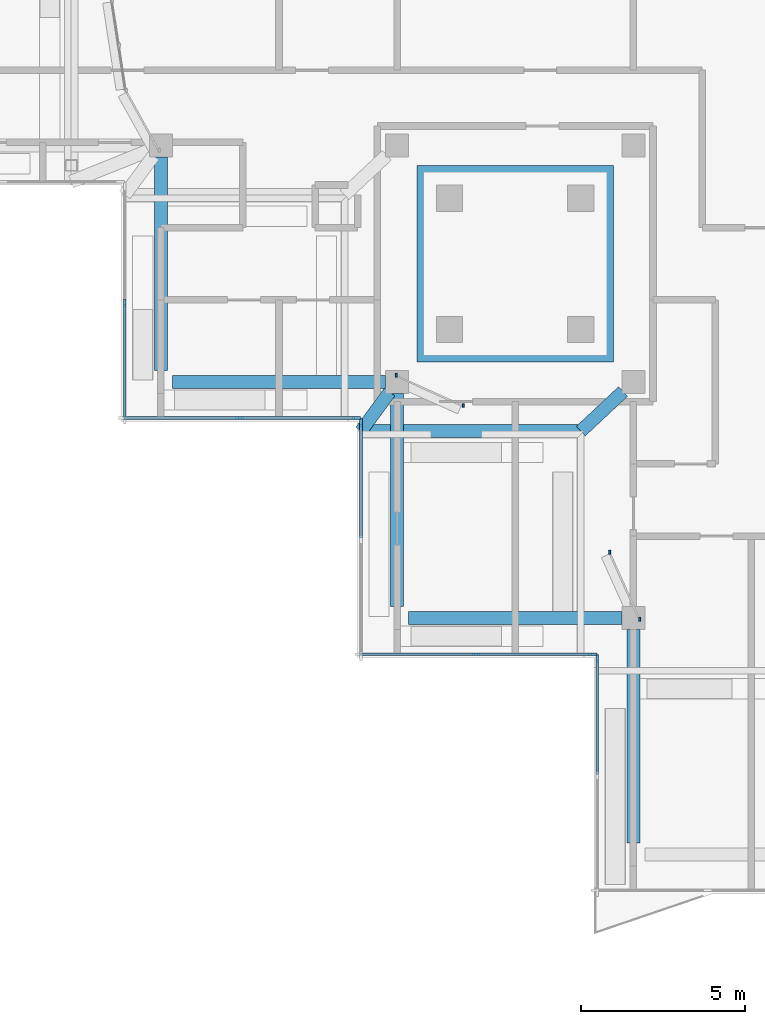
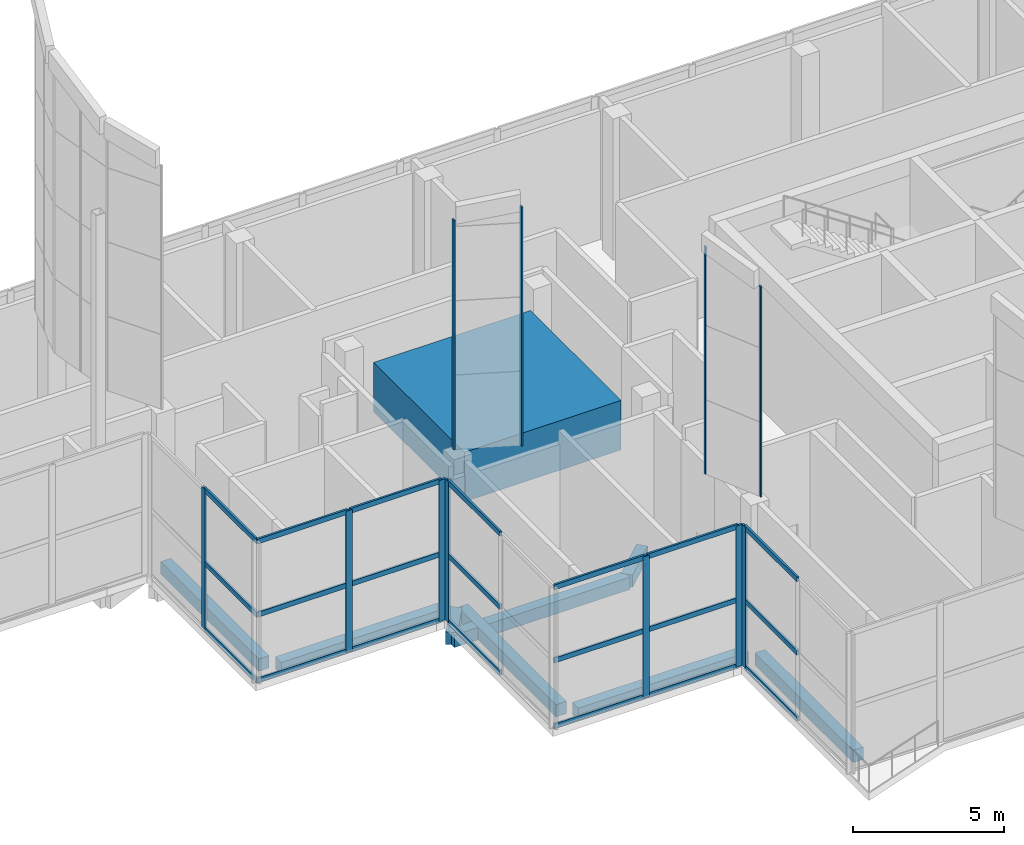
# One storey, part 3 of 19: 33 members, 8 beams, 7 elements without a shape of their own.
"""IFC4 building model written with IfcOpenShell, lengths in metres."""

import ifcopenshell
import ifcopenshell.guid

model = None  # the IFC model being written
_history = None  # IfcOwnerHistory: only IFC2X3 demands one
_inside = {}  # id of a spatial element -> (the spatial element, [elements in it])
_under = {}  # id of a project, library or spatial element -> (it, [spatial elements below it])
_declared = {}  # id of a project -> (the project, [libraries it declares])
_typed = {}  # id of a type object -> (the type object, [elements of that type])
_made_of = {}  # id of a material, layer set ... -> (it, [elements and type objects made of it])


def new_model(schema):
    """Start an empty IFC model of exactly this schema.

    Asked for "IFC4X3", IfcOpenShell would pick the latest addendum, in which some entities
    have other attributes; the version numbers below select the first issue.
    IFC2X3 requires an IfcOwnerHistory on every rooted entity: one is made here for all.
    """
    global model, _history
    if schema == "IFC4X3":
        model = ifcopenshell.file(schema_version=(4, 3, 0, 0))
    else:
        model = ifcopenshell.file(schema=schema)
    _inside.clear()
    _under.clear()
    _declared.clear()
    _typed.clear()
    _made_of.clear()
    _history = None
    if model.schema == "IFC2X3":
        org = make("IfcOrganization", Name="unknown")
        user = make(
            "IfcPersonAndOrganization",
            ThePerson=make("IfcPerson", FamilyName="unknown"),
            TheOrganization=org,
        )
        app = make(
            "IfcApplication",
            ApplicationDeveloper=org,
            Version="unknown",
            ApplicationFullName="unknown",
            ApplicationIdentifier="unknown",
        )
        _history = make(
            "IfcOwnerHistory",
            OwningUser=user,
            OwningApplication=app,
            ChangeAction="ADDED",
            CreationDate=0,
        )
    return model


def make(cls, **values):
    """One entity of the class cls with the attributes given. An attribute that is None is left unset."""
    return model.create_entity(
        cls, **{name: value for name, value in values.items() if value is not None}
    )


def rooted(cls, **values):
    """An entity with a GlobalId (a new one), such as an element, a storey or a relation."""
    return make(cls, GlobalId=ifcopenshell.guid.new(), OwnerHistory=_history, **values)


def si_unit(unit_type, name, prefix=None):
    """IfcSIUnit, for example si_unit("LENGTHUNIT", "METRE", prefix="MILLI")."""
    return make("IfcSIUnit", UnitType=unit_type, Prefix=prefix, Name=name)


def assignment(units):
    """IfcUnitAssignment: the units of a project."""
    return None if units is None else make("IfcUnitAssignment", Units=units)


def point(xyz):
    """IfcCartesianPoint."""
    return None if xyz is None else make("IfcCartesianPoint", Coordinates=xyz)


def direction(xyz):
    """IfcDirection."""
    return None if xyz is None else make("IfcDirection", DirectionRatios=xyz)


def frame(location, z_axis=None, x_axis=None):
    """IfcAxis2Placement3D, a coordinate frame: its origin and axes. An axis left out is left unset."""
    return make(
        "IfcAxis2Placement3D",
        Location=point(location),
        Axis=direction(z_axis),
        RefDirection=direction(x_axis),
    )


def frame_2d(location, x_axis=None):
    """IfcAxis2Placement2D, a coordinate frame in the plane: its origin and x axis."""
    return make(
        "IfcAxis2Placement2D", Location=point(location), RefDirection=direction(x_axis)
    )


def origin():
    """The frame at (0, 0, 0) with its axes left unset."""
    return frame((0.0, 0.0, 0.0))


def origin_2d():
    """The frame at (0, 0) in the plane with its x axis left unset."""
    return frame_2d((0.0, 0.0))


def place(relative_to, where):
    """IfcLocalPlacement: puts the frame where relative to a parent placement (None: the world)."""
    return make(
        "IfcLocalPlacement", PlacementRelTo=relative_to, RelativePlacement=where
    )


def context(
    kind, dimensions, precision=None, world=None, true_north=None, identifier=None
):
    """IfcGeometricRepresentationContext, for example the 3D "Model" context."""
    return make(
        "IfcGeometricRepresentationContext",
        ContextIdentifier=identifier,
        ContextType=kind,
        CoordinateSpaceDimension=dimensions,
        Precision=precision,
        WorldCoordinateSystem=world,
        TrueNorth=true_north,
    )


def subcontext(parent, identifier, kind, view, scale=None):
    """IfcGeometricRepresentationSubContext, for example "Body" below "Model"."""
    return make(
        "IfcGeometricRepresentationSubContext",
        ContextIdentifier=identifier,
        ContextType=kind,
        ParentContext=parent,
        TargetScale=scale,
        TargetView=view,
    )


def project(units=None, contexts=None):
    """IfcProject with its units and contexts."""
    return rooted(
        "IfcProject",
        Name="project",
        RepresentationContexts=contexts,
        UnitsInContext=assignment(units),
    )


def spatial(cls, under=None, at=None, **own):
    """A site, building, storey or space (cls), placed at a placement, below another one or the project."""
    s = rooted(cls, ObjectPlacement=at, **own)
    if under is not None:
        _under.setdefault(under.id(), (under, []))[1].append(s)
    return s


def profile(cls, at=None, kind="AREA", **sizes):
    """A parametric profile (cls). Its sizes go by their IFC names, for example OverallWidth=200.0."""
    return make(cls, ProfileType=kind, Position=at, **sizes)


def rectangle(**sizes):
    """IfcRectangleProfileDef."""
    return profile("IfcRectangleProfileDef", **sizes)


def extrude(swept, where, along, depth):
    """IfcExtrudedAreaSolid: the profile swept, set in the frame where, extruded along a direction by depth."""
    return make(
        "IfcExtrudedAreaSolid",
        SweptArea=swept,
        Position=where,
        ExtrudedDirection=direction(along),
        Depth=depth,
    )


def shape(context_of_items, identifier, shape_type, items):
    """IfcShapeRepresentation: the items that make up one representation, for example the "Body"."""
    return make(
        "IfcShapeRepresentation",
        ContextOfItems=context_of_items,
        RepresentationIdentifier=identifier,
        RepresentationType=shape_type,
        Items=items,
    )


def material(Name=None, Category=None):
    """IfcMaterial."""
    return make("IfcMaterial", Name=Name, Category=Category)


def material_profile(
    of_material, cross_section, Name=None, Category=None, Priority=None
):
    """IfcMaterialProfile: a cross section and its material."""
    return make(
        "IfcMaterialProfile",
        Name=Name,
        Material=of_material,
        Profile=cross_section,
        Priority=Priority,
        Category=Category,
    )


def profile_set(profiles, Name=None, composite=None):
    """IfcMaterialProfileSet."""
    return make(
        "IfcMaterialProfileSet",
        Name=Name,
        MaterialProfiles=profiles,
        CompositeProfile=composite,
    )


def made_of(thing, what):
    """Note that an element or type object is made of a material, layer set ...; save() writes the relation."""
    if what is not None:
        _made_of.setdefault(what.id(), (what, []))[1].append(thing)
    return thing


def type_object(cls, material=None, **own):
    """A type object (cls), such as IfcWallType, which elements share."""
    return made_of(rooted(cls, **own), material)


def element(
    cls,
    number,
    at=None,
    inside=None,
    cuts=None,
    type_object=None,
    material=None,
    context=None,
    identifier="Body",
    shape_type=None,
    held_by="IfcProductDefinitionShape",
    body=None,
    shapes=None,
    **own,
):
    """One element of the class cls, such as IfcWall. Its Tag is "e" and its number.

    at: its placement. inside: the storey or other place that contains it. cuts: it is an
    opening in that element (IfcRelVoidsElement). A single representation is given by context,
    identifier, shape_type and body (its items); several are given by shapes. held_by: the class
    of the entity that holds the representations. save() writes the other relations.
    """
    e = rooted(cls, Tag="e%d" % number, ObjectPlacement=at, **own)
    if body is not None:
        shapes = [shape(context, identifier, shape_type, body)]
    if shapes is not None:
        e.Representation = make(held_by, Representations=shapes)
    if inside is not None:
        _inside.setdefault(inside.id(), (inside, []))[1].append(e)
    if cuts is not None:
        rooted(
            "IfcRelVoidsElement", RelatingBuildingElement=cuts, RelatedOpeningElement=e
        )
    if type_object is not None:
        _typed.setdefault(type_object.id(), (type_object, []))[1].append(e)
    return made_of(e, material)


def aggregate(whole, parts):
    """IfcRelAggregates: a whole, such as a stair, and the parts it consists of."""
    return rooted("IfcRelAggregates", RelatingObject=whole, RelatedObjects=parts)


def save(model, path):
    """Write the relations noted so far, then the file.

    IfcRelAggregates (storeys below a building ...), IfcRelContainedInSpatialStructure (elements
    in a storey), IfcRelDefinesByType, IfcRelAssociatesMaterial and IfcRelDeclares: one each for
    every whole, place, type object, material and project.
    """
    for whole, parts in _under.values():
        aggregate(whole, parts)
    for where, things in _inside.values():
        rooted(
            "IfcRelContainedInSpatialStructure",
            RelatedElements=things,
            RelatingStructure=where,
        )
    for kind, things in _typed.values():
        rooted("IfcRelDefinesByType", RelatedObjects=things, RelatingType=kind)
    for what, things in _made_of.values():
        rooted("IfcRelAssociatesMaterial", RelatedObjects=things, RelatingMaterial=what)
    for by, libraries in _declared.values():
        rooted("IfcRelDeclares", RelatingContext=by, RelatedDefinitions=libraries)
    model.write(path)


model = new_model("IFC4")

# Units and contexts
model_context = context("Model", 3, precision=1e-05, world=origin(), true_north=direction((0.0, 1.0)))
body_context = subcontext(model_context, "Body", "Model", "MODEL_VIEW")
ifc_project = project(units=[si_unit("LENGTHUNIT", "METRE"), si_unit("AREAUNIT", "SQUARE_METRE"), si_unit("VOLUMEUNIT", "CUBIC_METRE"), si_unit("PLANEANGLEUNIT", "RADIAN"), si_unit("MASSUNIT", "GRAM", prefix="KILO")], contexts=[model_context])

# Site, building, storey
site_placement = place(None, origin())
site = spatial("IfcSite", under=ifc_project, at=site_placement, CompositionType="ELEMENT")
building_placement = place(site_placement, origin())
building = spatial("IfcBuilding", under=site, at=building_placement, Name="Windrow Commons", CompositionType="ELEMENT")
storey_placement = place(building_placement, frame((0.0, 0.0, 284.6)))
storey = spatial("IfcBuildingStorey", under=building, at=storey_placement, Name="L78", CompositionType="ELEMENT", Elevation=284.6)

# Curtain wall, member
ifc_material_1 = material(Name="Clear laminated glass in Aluminium 6063-T6 anodised frame", Category="aluminium")
curtain_wall_type_1 = type_object("IfcCurtainWallType", Name="Curtain wall CW3 damper floor", PredefinedType="USERDEFINED", material=ifc_material_1)
placement = place(storey_placement, origin())
curtain_wall_1 = element("IfcCurtainWall", 1, at=placement, inside=storey, type_object=curtain_wall_type_1, Name="Curtain wall CW3 L78 8", ObjectType="STRUCTURAL SILICONE", PredefinedType="USERDEFINED")
ifc_material_2 = material(Name="Aluminium 6063-T6", Category="aluminium")
ifc_material_profile_1 = material_profile(ifc_material_2, rectangle(XDim=0.08, YDim=0.25, at=origin_2d()))
ifc_profile_set_1 = profile_set([ifc_material_profile_1], Name="Aluminium 6063-T6")
member_type_1 = type_object("IfcMemberType", Name="CW3 mullion 80x250", PredefinedType="MULLION", material=ifc_profile_set_1)
member_1_placement = place(storey_placement, frame((34.9, 60.0, 0.0), z_axis=(0.0, 0.0, 1.0), x_axis=(1.0, 0.0, 0.0)))
member_1 = element("IfcMember", 2, at=member_1_placement, type_object=member_type_1, Name="CW3 mullion 2", PredefinedType="MULLION", context=body_context, shape_type="SweptSolid", body=[
    extrude(rectangle(XDim=0.08, YDim=0.25, at=origin_2d()), origin(), (0.0, 0.0, 1.0), 5.7),
])

# Curtain wall, members
curtain_wall_2 = element("IfcCurtainWall", 3, at=placement, inside=storey, type_object=curtain_wall_type_1, Name="Curtain wall CW3 L78 9", ObjectType="STRUCTURAL SILICONE", PredefinedType="USERDEFINED")
member_2_placement = place(storey_placement, frame((38.4, 56.5, 0.0), z_axis=(0.0, 0.0, 1.0), x_axis=(0.0, 1.0, 0.0)))
member_2 = element("IfcMember", 4, at=member_2_placement, type_object=member_type_1, Name="CW3 mullion 2", PredefinedType="MULLION", context=body_context, shape_type="SweptSolid", body=[
    extrude(rectangle(XDim=0.08, YDim=0.25, at=origin_2d()), origin(), (0.0, 0.0, 1.0), 5.7),
])
member_3_placement = place(storey_placement, frame((41.96, 56.5, 0.0), z_axis=(0.0, 0.0, 1.0), x_axis=(0.0, 1.0, 0.0)))
member_3 = element("IfcMember", 5, at=member_3_placement, type_object=member_type_1, Name="CW3 mullion 3", PredefinedType="MULLION", context=body_context, shape_type="SweptSolid", body=[
    extrude(rectangle(XDim=0.08, YDim=0.25, at=origin_2d()), origin(), (0.0, 0.0, 1.0), 5.7),
])

# Curtain wall, member
curtain_wall_3 = element("IfcCurtainWall", 6, at=placement, inside=storey, type_object=curtain_wall_type_1, Name="Curtain wall CW3 L78 10", ObjectType="STRUCTURAL SILICONE", PredefinedType="USERDEFINED")
member_4_placement = place(storey_placement, frame((42.1, 56.36, 0.0), z_axis=(0.0, 0.0, 1.0), x_axis=(1.0, 0.0, 0.0)))
member_4 = element("IfcMember", 7, at=member_4_placement, type_object=member_type_1, Name="CW3 mullion 1", PredefinedType="MULLION", context=body_context, shape_type="SweptSolid", body=[
    extrude(rectangle(XDim=0.08, YDim=0.25, at=origin_2d()), origin(), (0.0, 0.0, 1.0), 5.7),
])

# Curtain wall, members
curtain_wall_4 = element("IfcCurtainWall", 8, at=placement, inside=storey, type_object=curtain_wall_type_1, Name="Curtain wall CW3 L78 11", ObjectType="STRUCTURAL SILICONE", PredefinedType="USERDEFINED")
member_5_placement = place(storey_placement, frame((45.6, 49.3, 0.0), z_axis=(0.0, 0.0, 1.0), x_axis=(0.0, 1.0, 0.0)))
member_5 = element("IfcMember", 9, at=member_5_placement, type_object=member_type_1, Name="CW3 mullion 2", PredefinedType="MULLION", context=body_context, shape_type="SweptSolid", body=[
    extrude(rectangle(XDim=0.08, YDim=0.25, at=origin_2d()), origin(), (0.0, 0.0, 1.0), 5.7),
])
member_6_placement = place(storey_placement, frame((49.16, 49.3, 0.0), z_axis=(0.0, 0.0, 1.0), x_axis=(0.0, 1.0, 0.0)))
member_6 = element("IfcMember", 10, at=member_6_placement, type_object=member_type_1, Name="CW3 mullion 3", PredefinedType="MULLION", context=body_context, shape_type="SweptSolid", body=[
    extrude(rectangle(XDim=0.08, YDim=0.25, at=origin_2d()), origin(), (0.0, 0.0, 1.0), 5.7),
])

# Curtain wall, member
curtain_wall_5 = element("IfcCurtainWall", 11, at=placement, inside=storey, type_object=curtain_wall_type_1, Name="Curtain wall CW3 L78 12", ObjectType="STRUCTURAL SILICONE", PredefinedType="USERDEFINED")
member_7_placement = place(storey_placement, frame((49.3, 49.16, 0.0), z_axis=(0.0, 0.0, 1.0), x_axis=(1.0, 0.0, 0.0)))
member_7 = element("IfcMember", 12, at=member_7_placement, type_object=member_type_1, Name="CW3 mullion 1", PredefinedType="MULLION", context=body_context, shape_type="SweptSolid", body=[
    extrude(rectangle(XDim=0.08, YDim=0.25, at=origin_2d()), origin(), (0.0, 0.0, 1.0), 5.7),
])

# Member
ifc_material_3 = material(Name="Aluminium 6063-T6", Category="aluminium")
ifc_material_profile_2 = material_profile(ifc_material_3, rectangle(XDim=0.08, YDim=0.2, at=origin_2d()))
ifc_profile_set_2 = profile_set([ifc_material_profile_2], Name="Aluminium 6063-T6")
member_type_2 = type_object("IfcMemberType", Name="CW3 transom 80x200", PredefinedType="USERDEFINED", material=ifc_profile_set_2)
member_8_placement = place(storey_placement, frame((34.9, 59.96, 0.04), z_axis=(0.0, -1.0, 0.0), x_axis=(1.0, 0.0, 0.0)))
member_8 = element("IfcMember", 13, at=member_8_placement, type_object=member_type_2, Name="CW3 transom 2.1", ObjectType="TRANSOM", PredefinedType="USERDEFINED", context=body_context, shape_type="SweptSolid", body=[
    extrude(rectangle(XDim=0.08, YDim=0.2, at=origin_2d()), origin(), (0.0, 0.0, 1.0), 3.48),
])

member_9_placement = place(storey_placement, frame((34.9, 59.96, 2.7), z_axis=(0.0, -1.0, 0.0), x_axis=(1.0, 0.0, 0.0)))
member_9 = element("IfcMember", 14, at=member_9_placement, type_object=member_type_2, Name="CW3 transom 2.2", ObjectType="TRANSOM", PredefinedType="USERDEFINED", context=body_context, shape_type="SweptSolid", body=[
    extrude(rectangle(XDim=0.08, YDim=0.2, at=origin_2d()), origin(), (0.0, 0.0, 1.0), 3.48),
])

member_10_placement = place(storey_placement, frame((34.9, 59.96, 5.66), z_axis=(0.0, -1.0, 0.0), x_axis=(1.0, 0.0, 0.0)))
member_10 = element("IfcMember", 15, at=member_10_placement, type_object=member_type_2, Name="CW3 transom 2.3", ObjectType="TRANSOM", PredefinedType="USERDEFINED", context=body_context, shape_type="SweptSolid", body=[
    extrude(rectangle(XDim=0.08, YDim=0.2, at=origin_2d()), origin(), (0.0, 0.0, 1.0), 3.48),
])

aggregate(curtain_wall_1, [member_1, member_8, member_9, member_10])

member_11_placement = place(storey_placement, frame((34.88, 56.5, 0.04), z_axis=(1.0, 0.0, 0.0), x_axis=(0.0, 1.0, 0.0)))
member_11 = element("IfcMember", 16, at=member_11_placement, type_object=member_type_2, Name="CW3 transom 1.1", ObjectType="TRANSOM", PredefinedType="USERDEFINED", context=body_context, shape_type="SweptSolid", body=[
    extrude(rectangle(XDim=0.08, YDim=0.2, at=origin_2d()), origin(), (0.0, 0.0, 1.0), 3.48),
])

member_12_placement = place(storey_placement, frame((34.88, 56.5, 2.7), z_axis=(1.0, 0.0, 0.0), x_axis=(0.0, 1.0, 0.0)))
member_12 = element("IfcMember", 17, at=member_12_placement, type_object=member_type_2, Name="CW3 transom 1.2", ObjectType="TRANSOM", PredefinedType="USERDEFINED", context=body_context, shape_type="SweptSolid", body=[
    extrude(rectangle(XDim=0.08, YDim=0.2, at=origin_2d()), origin(), (0.0, 0.0, 1.0), 3.48),
])

member_13_placement = place(storey_placement, frame((34.88, 56.5, 5.66), z_axis=(1.0, 0.0, 0.0), x_axis=(0.0, 1.0, 0.0)))
member_13 = element("IfcMember", 18, at=member_13_placement, type_object=member_type_2, Name="CW3 transom 1.3", ObjectType="TRANSOM", PredefinedType="USERDEFINED", context=body_context, shape_type="SweptSolid", body=[
    extrude(rectangle(XDim=0.08, YDim=0.2, at=origin_2d()), origin(), (0.0, 0.0, 1.0), 3.48),
])

member_14_placement = place(storey_placement, frame((38.44, 56.5, 0.04), z_axis=(1.0, 0.0, 0.0), x_axis=(0.0, 1.0, 0.0)))
member_14 = element("IfcMember", 19, at=member_14_placement, type_object=member_type_2, Name="CW3 transom 2.1", ObjectType="TRANSOM", PredefinedType="USERDEFINED", context=body_context, shape_type="SweptSolid", body=[
    extrude(rectangle(XDim=0.08, YDim=0.2, at=origin_2d()), origin(), (0.0, 0.0, 1.0), 3.48),
])

member_15_placement = place(storey_placement, frame((38.44, 56.5, 2.7), z_axis=(1.0, 0.0, 0.0), x_axis=(0.0, 1.0, 0.0)))
member_15 = element("IfcMember", 20, at=member_15_placement, type_object=member_type_2, Name="CW3 transom 2.2", ObjectType="TRANSOM", PredefinedType="USERDEFINED", context=body_context, shape_type="SweptSolid", body=[
    extrude(rectangle(XDim=0.08, YDim=0.2, at=origin_2d()), origin(), (0.0, 0.0, 1.0), 3.48),
])

member_16_placement = place(storey_placement, frame((38.44, 56.5, 5.66), z_axis=(1.0, 0.0, 0.0), x_axis=(0.0, 1.0, 0.0)))
member_16 = element("IfcMember", 21, at=member_16_placement, type_object=member_type_2, Name="CW3 transom 2.3", ObjectType="TRANSOM", PredefinedType="USERDEFINED", context=body_context, shape_type="SweptSolid", body=[
    extrude(rectangle(XDim=0.08, YDim=0.2, at=origin_2d()), origin(), (0.0, 0.0, 1.0), 3.48),
])

aggregate(curtain_wall_2, [member_2, member_3, member_11, member_12, member_13, member_14, member_15, member_16])

member_17_placement = place(storey_placement, frame((42.1, 56.32, 0.04), z_axis=(0.0, -1.0, 0.0), x_axis=(1.0, 0.0, 0.0)))
member_17 = element("IfcMember", 22, at=member_17_placement, type_object=member_type_2, Name="CW3 transom 1.1", ObjectType="TRANSOM", PredefinedType="USERDEFINED", context=body_context, shape_type="SweptSolid", body=[
    extrude(rectangle(XDim=0.08, YDim=0.2, at=origin_2d()), origin(), (0.0, 0.0, 1.0), 3.48),
])

member_18_placement = place(storey_placement, frame((42.1, 56.32, 2.7), z_axis=(0.0, -1.0, 0.0), x_axis=(1.0, 0.0, 0.0)))
member_18 = element("IfcMember", 23, at=member_18_placement, type_object=member_type_2, Name="CW3 transom 1.2", ObjectType="TRANSOM", PredefinedType="USERDEFINED", context=body_context, shape_type="SweptSolid", body=[
    extrude(rectangle(XDim=0.08, YDim=0.2, at=origin_2d()), origin(), (0.0, 0.0, 1.0), 3.48),
])

member_19_placement = place(storey_placement, frame((42.1, 56.32, 5.66), z_axis=(0.0, -1.0, 0.0), x_axis=(1.0, 0.0, 0.0)))
member_19 = element("IfcMember", 24, at=member_19_placement, type_object=member_type_2, Name="CW3 transom 1.3", ObjectType="TRANSOM", PredefinedType="USERDEFINED", context=body_context, shape_type="SweptSolid", body=[
    extrude(rectangle(XDim=0.08, YDim=0.2, at=origin_2d()), origin(), (0.0, 0.0, 1.0), 3.48),
])

aggregate(curtain_wall_3, [member_4, member_17, member_18, member_19])

member_20_placement = place(storey_placement, frame((42.08, 49.3, 0.04), z_axis=(1.0, 0.0, 0.0), x_axis=(0.0, 1.0, 0.0)))
member_20 = element("IfcMember", 25, at=member_20_placement, type_object=member_type_2, Name="CW3 transom 1.1", ObjectType="TRANSOM", PredefinedType="USERDEFINED", context=body_context, shape_type="SweptSolid", body=[
    extrude(rectangle(XDim=0.08, YDim=0.2, at=origin_2d()), origin(), (0.0, 0.0, 1.0), 3.48),
])

member_21_placement = place(storey_placement, frame((42.08, 49.3, 2.7), z_axis=(1.0, 0.0, 0.0), x_axis=(0.0, 1.0, 0.0)))
member_21 = element("IfcMember", 26, at=member_21_placement, type_object=member_type_2, Name="CW3 transom 1.2", ObjectType="TRANSOM", PredefinedType="USERDEFINED", context=body_context, shape_type="SweptSolid", body=[
    extrude(rectangle(XDim=0.08, YDim=0.2, at=origin_2d()), origin(), (0.0, 0.0, 1.0), 3.48),
])

member_22_placement = place(storey_placement, frame((42.08, 49.3, 5.66), z_axis=(1.0, 0.0, 0.0), x_axis=(0.0, 1.0, 0.0)))
member_22 = element("IfcMember", 27, at=member_22_placement, type_object=member_type_2, Name="CW3 transom 1.3", ObjectType="TRANSOM", PredefinedType="USERDEFINED", context=body_context, shape_type="SweptSolid", body=[
    extrude(rectangle(XDim=0.08, YDim=0.2, at=origin_2d()), origin(), (0.0, 0.0, 1.0), 3.48),
])

member_23_placement = place(storey_placement, frame((45.64, 49.3, 0.04), z_axis=(1.0, 0.0, 0.0), x_axis=(0.0, 1.0, 0.0)))
member_23 = element("IfcMember", 28, at=member_23_placement, type_object=member_type_2, Name="CW3 transom 2.1", ObjectType="TRANSOM", PredefinedType="USERDEFINED", context=body_context, shape_type="SweptSolid", body=[
    extrude(rectangle(XDim=0.08, YDim=0.2, at=origin_2d()), origin(), (0.0, 0.0, 1.0), 3.48),
])

member_24_placement = place(storey_placement, frame((45.64, 49.3, 2.7), z_axis=(1.0, 0.0, 0.0), x_axis=(0.0, 1.0, 0.0)))
member_24 = element("IfcMember", 29, at=member_24_placement, type_object=member_type_2, Name="CW3 transom 2.2", ObjectType="TRANSOM", PredefinedType="USERDEFINED", context=body_context, shape_type="SweptSolid", body=[
    extrude(rectangle(XDim=0.08, YDim=0.2, at=origin_2d()), origin(), (0.0, 0.0, 1.0), 3.48),
])

member_25_placement = place(storey_placement, frame((45.64, 49.3, 5.66), z_axis=(1.0, 0.0, 0.0), x_axis=(0.0, 1.0, 0.0)))
member_25 = element("IfcMember", 30, at=member_25_placement, type_object=member_type_2, Name="CW3 transom 2.3", ObjectType="TRANSOM", PredefinedType="USERDEFINED", context=body_context, shape_type="SweptSolid", body=[
    extrude(rectangle(XDim=0.08, YDim=0.2, at=origin_2d()), origin(), (0.0, 0.0, 1.0), 3.48),
])

aggregate(curtain_wall_4, [member_5, member_6, member_20, member_21, member_22, member_23, member_24, member_25])

member_26_placement = place(storey_placement, frame((49.3, 49.12, 0.04), z_axis=(0.0, -1.0, 0.0), x_axis=(1.0, 0.0, 0.0)))
member_26 = element("IfcMember", 31, at=member_26_placement, type_object=member_type_2, Name="CW3 transom 1.1", ObjectType="TRANSOM", PredefinedType="USERDEFINED", context=body_context, shape_type="SweptSolid", body=[
    extrude(rectangle(XDim=0.08, YDim=0.2, at=origin_2d()), origin(), (0.0, 0.0, 1.0), 3.48),
])

member_27_placement = place(storey_placement, frame((49.3, 49.12, 2.7), z_axis=(0.0, -1.0, 0.0), x_axis=(1.0, 0.0, 0.0)))
member_27 = element("IfcMember", 32, at=member_27_placement, type_object=member_type_2, Name="CW3 transom 1.2", ObjectType="TRANSOM", PredefinedType="USERDEFINED", context=body_context, shape_type="SweptSolid", body=[
    extrude(rectangle(XDim=0.08, YDim=0.2, at=origin_2d()), origin(), (0.0, 0.0, 1.0), 3.48),
])

member_28_placement = place(storey_placement, frame((49.3, 49.12, 5.66), z_axis=(0.0, -1.0, 0.0), x_axis=(1.0, 0.0, 0.0)))
member_28 = element("IfcMember", 33, at=member_28_placement, type_object=member_type_2, Name="CW3 transom 1.3", ObjectType="TRANSOM", PredefinedType="USERDEFINED", context=body_context, shape_type="SweptSolid", body=[
    extrude(rectangle(XDim=0.08, YDim=0.2, at=origin_2d()), origin(), (0.0, 0.0, 1.0), 3.48),
])

aggregate(curtain_wall_5, [member_7, member_26, member_27, member_28])

# Curtain wall, members
ifc_material_4 = material(Name="Laminated glass in anodised aluminium frame", Category="aluminium")
curtain_wall_type_2 = type_object("IfcCurtainWallType", Name="Curtain wall crown terrace screen", PredefinedType="USERDEFINED", material=ifc_material_4)
curtain_wall_6 = element("IfcCurtainWall", 34, at=placement, inside=storey, type_object=curtain_wall_type_2, Name="Glazed crown screen L78", ObjectType="STICK", PredefinedType="USERDEFINED")
ifc_material_5 = material(Name="Anodised aluminium", Category="aluminium")
ifc_material_profile_3 = material_profile(ifc_material_5, rectangle(XDim=0.06, YDim=0.12, at=origin_2d()))
ifc_profile_set_3 = profile_set([ifc_material_profile_3], Name="Anodised aluminium")
member_type_3 = type_object("IfcMemberType", Name="Crown screen mullion 60x120", PredefinedType="MULLION", material=ifc_profile_set_3)
member_29_placement = place(storey_placement, frame((50.6003, 50.3678, 5.7), z_axis=(0.0, 0.0, 1.0), x_axis=(1.0, 0.0, 0.0)))
member_29 = element("IfcMember", 35, at=member_29_placement, type_object=member_type_3, Name="Crown screen mullion L78", PredefinedType="MULLION", context=body_context, shape_type="SweptSolid", body=[
    extrude(rectangle(XDim=0.06, YDim=0.12, at=origin_2d()), origin(), (0.0, 0.0, 1.0), 8.4948),
])
member_30_placement = place(storey_placement, frame((49.6794, 52.4141, 5.7), z_axis=(0.0, 0.0, 1.0), x_axis=(1.0, 0.0, 0.0)))
member_30 = element("IfcMember", 36, at=member_30_placement, type_object=member_type_3, Name="Crown screen mullion L78", PredefinedType="MULLION", context=body_context, shape_type="SweptSolid", body=[
    extrude(rectangle(XDim=0.06, YDim=0.12, at=origin_2d()), origin(), (0.0, 0.0, 1.0), 9.1845),
])
aggregate(curtain_wall_6, [member_29, member_30])

curtain_wall_7 = element("IfcCurtainWall", 37, at=placement, inside=storey, type_object=curtain_wall_type_2, Name="Glazed crown screen L78", ObjectType="STICK", PredefinedType="USERDEFINED")
member_31_placement = place(storey_placement, frame((45.2141, 56.8794, 5.7), z_axis=(0.0, 0.0, 1.0), x_axis=(1.0, 0.0, 0.0)))
member_31 = element("IfcMember", 38, at=member_31_placement, type_object=member_type_3, Name="Crown screen mullion L78", PredefinedType="MULLION", context=body_context, shape_type="SweptSolid", body=[
    extrude(rectangle(XDim=0.06, YDim=0.12, at=origin_2d()), origin(), (0.0, 0.0, 1.0), 9.6549),
])
member_32_placement = place(storey_placement, frame((43.1678, 57.8003, 5.7), z_axis=(0.0, 0.0, 1.0), x_axis=(1.0, 0.0, 0.0)))
member_32 = element("IfcMember", 39, at=member_32_placement, type_object=member_type_3, Name="Crown screen mullion L78", PredefinedType="MULLION", context=body_context, shape_type="SweptSolid", body=[
    extrude(rectangle(XDim=0.06, YDim=0.12, at=origin_2d()), origin(), (0.0, 0.0, 1.0), 9.2777),
])
aggregate(curtain_wall_7, [member_31, member_32])

# Beams
ifc_material_6 = material(Name="Concrete C40/50", Category="concrete")
ifc_material_profile_4 = material_profile(ifc_material_6, rectangle(XDim=0.4, YDim=0.5, at=origin_2d()))
ifc_profile_set_4 = profile_set([ifc_material_profile_4], Name="Concrete C40/50")
beam_type = type_object("IfcBeamType", Name="RC EDGE BEAM 400x500 C40/50", PredefinedType="SPANDREL", material=ifc_profile_set_4)
beam_1_placement = place(storey_placement, frame((42.1, 56.1, -0.55), z_axis=(1.0, 0.0, 0.0), x_axis=(0.0, 1.0, 0.0)))
element("IfcBeam", 40, at=beam_1_placement, inside=storey, type_object=beam_type, Name="Terrace base beam TR-L78-3", PredefinedType="SPANDREL", context=body_context, shape_type="SweptSolid", body=[
    extrude(rectangle(XDim=0.4, YDim=0.5, at=origin_2d()), origin(), (0.0, 0.0, 1.0), 6.7),
])
beam_2_placement = place(storey_placement, frame((42.9729, 57.2903, -0.55), z_axis=(-0.5913695377, -0.8064006882, 0.0), x_axis=(0.8064006882, -0.5913695377, 0.0)))
element("IfcBeam", 41, at=beam_2_placement, inside=storey, type_object=beam_type, Name="Terrace base bracket beam TR-L78-3.1", PredefinedType="SPANDREL", context=body_context, shape_type="SweptSolid", body=[
    extrude(rectangle(XDim=0.4, YDim=0.5, at=origin_2d()), origin(), (0.0, 0.0, 1.0), 1.4761),
])
beam_3_placement = place(storey_placement, frame((50.0865, 57.3061, -0.55), z_axis=(-0.7295354357, -0.6839430152, 0.0), x_axis=(0.6839430152, -0.7295354357, 0.0)))
element("IfcBeam", 42, at=beam_3_placement, inside=storey, type_object=beam_type, Name="Terrace base bracket beam TR-L78-3.2", PredefinedType="SPANDREL", context=body_context, shape_type="SweptSolid", body=[
    extrude(rectangle(XDim=0.4, YDim=0.5, at=origin_2d()), origin(), (0.0, 0.0, 1.0), 1.7635),
])
for number, where, z_axis, x_axis, name in (
    (43, (50.4, 43.55, -0.55), (0.0, 1.0, 0.0), (-1.0, 0.0, 0.0), "Edge beam L78 002"),
    (44, (50.05, 50.4, -0.55), (-1.0, 0.0, 0.0), (0.0, -1.0, 0.0), "Edge beam L78 003"),
    (45, (43.2, 50.75, -0.55), (0.0, 1.0, 0.0), (-1.0, 0.0, 0.0), "Edge beam L78 004"),
    (46, (42.85, 57.6, -0.55), (-1.0, 0.0, 0.0), (0.0, -1.0, 0.0), "Edge beam L78 005"),
    (47, (36.0, 57.95, -0.55), (0.0, 1.0, 0.0), (-1.0, 0.0, 0.0), "Edge beam L78 006"),
):
    element("IfcBeam", number, at=place(storey_placement, frame(where, z_axis=z_axis, x_axis=x_axis)), inside=storey, type_object=beam_type, Name=name, PredefinedType="SPANDREL", context=body_context, shape_type="SweptSolid", body=[
        extrude(rectangle(XDim=0.4, YDim=0.5, at=origin_2d()), origin(), (0.0, 0.0, 1.0), 6.5),
    ])

# Member
ifc_material_7 = material(Name="Steel S355", Category="steel")
member_type_4 = type_object("IfcMemberType", Name="TUNED MASS DAMPER 6000x6000x2000 STEEL", PredefinedType="USERDEFINED", material=ifc_material_7)
member_33_placement = place(storey_placement, frame((46.8, 61.2, 3.1), z_axis=(0.0, 0.0, 1.0), x_axis=(1.0, 0.0, 0.0)))
element("IfcMember", 48, at=member_33_placement, inside=storey, type_object=member_type_4, Name="Tuned mass damper", ObjectType="TUNED MASS DAMPER", PredefinedType="USERDEFINED", context=body_context, shape_type="SweptSolid", body=[
    extrude(rectangle(XDim=6.0, YDim=6.0, at=origin_2d()), origin(), (0.0, 0.0, 1.0), 2.0),
])

save(model, "model.ifc")
